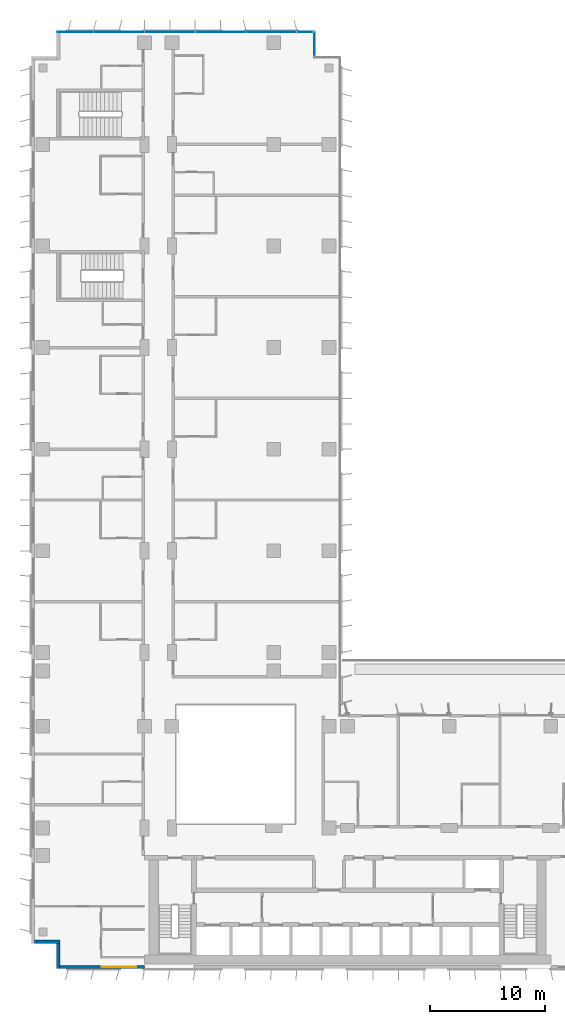
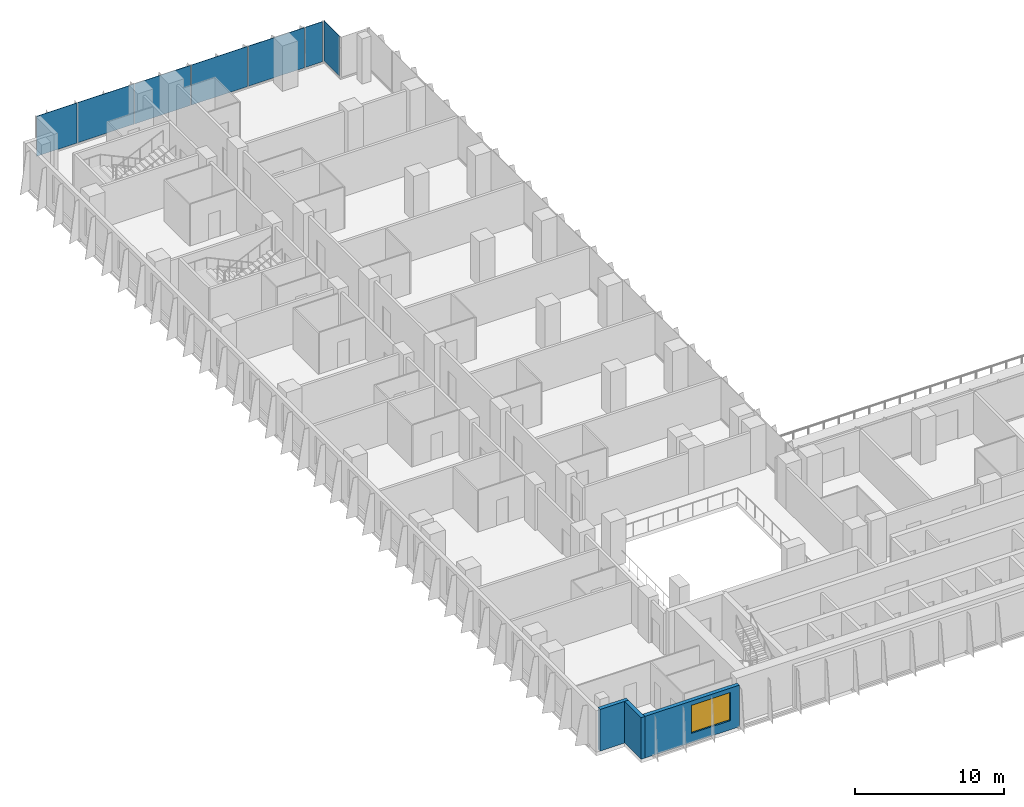
# One storey, part 13 of 27: 7 plates, 3 walls, 1 window, 1 opening, 2 elements without a shape of their own.
"""IFC4 building model written with IfcOpenShell, lengths in metres."""

from ifc_helpers import new_model, si_unit, direction, frame, frame_2d, origin, origin_2d, place, context, subcontext, project, spatial, rectangle, extrude, source, transform, mapped, material, layer, layer_set, type_object, element, fill, aggregate, save


model = new_model("IFC4")

# Units and contexts
model_context = context("Model", 3, precision=1e-05, world=origin(), true_north=direction((0.0, 1.0)))
body_context = subcontext(model_context, "Body", "Model", "MODEL_VIEW")
ifc_project = project(units=[si_unit("LENGTHUNIT", "METRE"), si_unit("AREAUNIT", "SQUARE_METRE"), si_unit("VOLUMEUNIT", "CUBIC_METRE"), si_unit("PLANEANGLEUNIT", "RADIAN"), si_unit("MASSUNIT", "GRAM", prefix="KILO")], contexts=[model_context])

# Site, building, storey
site_placement = place(None, origin())
site = spatial("IfcSite", under=ifc_project, at=site_placement, CompositionType="ELEMENT")
building_placement = place(site_placement, origin())
building = spatial("IfcBuilding", under=site, at=building_placement, Name="Kemantara Hotel Tower", CompositionType="ELEMENT")
storey_placement = place(building_placement, frame((0.0, 0.0, 83.39990234375)))
storey = spatial("IfcBuildingStorey", under=building, at=storey_placement, Name="L19", CompositionType="ELEMENT", Elevation=83.39990234375)

# Curtain wall, plates
ifc_material_1 = material(Name="Low-E tinted double insulated glass 36 mm", Category="glass")
curtain_wall_type = type_object("IfcCurtainWallType", Name="TOWER CURTAIN WALL, FRONT FACES", PredefinedType="USERDEFINED", material=ifc_material_1)
curtain_wall_1_placement = place(storey_placement, origin())
curtain_wall_1 = element("IfcCurtainWall", 1, at=curtain_wall_1_placement, inside=storey, type_object=curtain_wall_type, Name="CW4 L19 T2-R01-1", ObjectType="TOWER CURTAIN WALL, FRONT FACES", PredefinedType="USERDEFINED")
ifc_layer_1 = layer(ifc_material_1, 0.035888671875)
ifc_layer_set_1 = layer_set([ifc_layer_1], Name="Low-E tinted double insulated glass 36 mm")
plate_type = type_object("IfcPlateType", Name="TOWER CURTAIN WALL, FRONT FACES PANEL", PredefinedType="CURTAIN_PANEL", material=ifc_layer_set_1)
shared_shape_1 = source(origin(), body_context, "Body", "SweptSolid", [
    extrude(rectangle(XDim=4.340087890625, YDim=0.035888671875, at=origin_2d()), origin(), (0.0, 0.0, 1.0), 3.280029296875),
])
plate_1_placement = place(storey_placement, frame((20.800048828125, 81.125, 0.1201171875), z_axis=(0.0, 0.0, 1.0), x_axis=(-1.0, 0.0, 0.0)))
plate_1 = element("IfcPlate", 2, at=plate_1_placement, type_object=plate_type, Name="CW4 glass panel T2-R01-1.2", PredefinedType="CURTAIN_PANEL", context=body_context, shape_type="MappedRepresentation", body=[
    mapped(shared_shape_1, transform((0.0, 0.0, 0.0))),
])
plate_2_placement = place(storey_placement, frame((16.39990234375, 81.125, 0.1201171875), z_axis=(0.0, 0.0, 1.0), x_axis=(-1.0, 0.0, 0.0)))
plate_2 = element("IfcPlate", 3, at=plate_2_placement, type_object=plate_type, Name="CW4 glass panel T2-R01-1.3", PredefinedType="CURTAIN_PANEL", context=body_context, shape_type="MappedRepresentation", body=[
    mapped(shared_shape_1, transform((0.0, 0.0, 0.0))),
])
plate_3_placement = place(storey_placement, frame((12.0, 81.125, 0.1201171875), z_axis=(0.0, 0.0, 1.0), x_axis=(-1.0, 0.0, 0.0)))
plate_3 = element("IfcPlate", 4, at=plate_3_placement, type_object=plate_type, Name="CW4 glass panel T2-R01-1.4", PredefinedType="CURTAIN_PANEL", context=body_context, shape_type="MappedRepresentation", body=[
    mapped(shared_shape_1, transform((0.0, 0.0, 0.0))),
])
plate_4_placement = place(storey_placement, frame((7.60009765625, 81.125, 0.1201171875), z_axis=(0.0, 0.0, 1.0), x_axis=(-1.0, 0.0, 0.0)))
plate_4 = element("IfcPlate", 5, at=plate_4_placement, type_object=plate_type, Name="CW4 glass panel T2-R01-1.5", PredefinedType="CURTAIN_PANEL", context=body_context, shape_type="MappedRepresentation", body=[
    mapped(shared_shape_1, transform((0.0, 0.0, 0.0))),
])
shared_shape_2 = source(origin(), body_context, "Body", "SweptSolid", [
    extrude(rectangle(XDim=1.360107421875, YDim=0.035888671875, at=origin_2d()), origin(), (0.0, 0.0, 1.0), 3.280029296875),
])
plate_5_placement = place(storey_placement, frame((23.7099609375, 81.125, 0.1201171875), z_axis=(0.0, 0.0, 1.0), x_axis=(-1.0, 0.0, 0.0)))
plate_5 = element("IfcPlate", 6, at=plate_5_placement, type_object=plate_type, Name="CW4 glass panel T2-R01-1.1", PredefinedType="CURTAIN_PANEL", context=body_context, shape_type="MappedRepresentation", body=[
    mapped(shared_shape_2, transform((0.0, 0.0, 0.0))),
])
shared_shape_3 = source(origin(), body_context, "Body", "SweptSolid", [
    extrude(rectangle(XDim=3.110107421875, YDim=0.035888671875, at=origin_2d()), origin(), (0.0, 0.0, 1.0), 3.280029296875),
])
plate_6_placement = place(storey_placement, frame((3.81494140625, 81.125, 0.1201171875), z_axis=(0.0, 0.0, 1.0), x_axis=(-1.0, 0.0, 0.0)))
plate_6 = element("IfcPlate", 7, at=plate_6_placement, type_object=plate_type, Name="CW4 glass panel T2-R01-1.6", PredefinedType="CURTAIN_PANEL", context=body_context, shape_type="MappedRepresentation", body=[
    mapped(shared_shape_3, transform((0.0, 0.0, 0.0))),
])
aggregate(curtain_wall_1, [plate_5, plate_1, plate_2, plate_3, plate_4, plate_6])

# Curtain wall, plate
curtain_wall_2_placement = place(storey_placement, origin())
curtain_wall_2 = element("IfcCurtainWall", 8, at=curtain_wall_2_placement, inside=storey, type_object=curtain_wall_type, Name="CW4 L19 T2-R00-1", ObjectType="TOWER CURTAIN WALL, FRONT FACES", PredefinedType="USERDEFINED")
shared_shape_4 = source(origin(), body_context, "Body", "SweptSolid", [
    extrude(rectangle(XDim=2.080078125, YDim=0.035888671875, at=origin_2d()), origin(), (0.0, 0.0, 1.0), 3.280029296875),
])
plate_7_placement = place(storey_placement, frame((24.52490234375, 80.10009765625, 0.1201171875), z_axis=(0.0, 0.0, 1.0), x_axis=(0.0, 1.0, 0.0)))
plate_7 = element("IfcPlate", 9, at=plate_7_placement, type_object=plate_type, Name="CW4 glass panel T2-R00-1.1", PredefinedType="CURTAIN_PANEL", context=body_context, shape_type="MappedRepresentation", body=[
    mapped(shared_shape_4, transform((0.0, 0.0, 0.0))),
])
aggregate(curtain_wall_2, [plate_7])

# Walls
ifc_material_2 = material(Name="Bronze anodised aluminium cladding on insulated steel stud wall", Category="steel")
ifc_layer_2 = layer(ifc_material_2, 0.300048828125)
ifc_layer_set_2 = layer_set([ifc_layer_2], Name="Bronze anodised aluminium cladding on insulated steel stud wall")
wall_type = type_object("IfcWallType", Name="BRONZE METAL-CLAD EXTERNAL WALL 300", PredefinedType="STANDARD", material=ifc_layer_set_2)
for number, where, z_axis, x_axis, name in (
    (10, (0.300048828125, 2.35009765625, 0.0), (0.0, 0.0, 1.0), (1.0, 0.0, 0.0), "EXTERNAL WALL L19 T2-R05"),
    (11, (2.35009765625, 2.199951171875, 0.0), (0.0, 0.0, 1.0), (0.0, -1.0, 0.0), "EXTERNAL WALL L19 T2-R06"),
):
    element("IfcWall", number, at=place(storey_placement, frame(where, z_axis=z_axis, x_axis=x_axis)), inside=storey, type_object=wall_type, Name=name, PredefinedType="STANDARD", context=body_context, shape_type="SweptSolid", body=[
        extrude(rectangle(XDim=2.199951171875, YDim=0.300048828125, at=frame_2d((1.10009765625, 0.0))), origin(), (0.0, 0.0, 1.0), 3.400146484375),
    ])

# Wall, opening, window
wall_placement = place(storey_placement, frame((2.5, 0.14990234375, 0.0), z_axis=(0.0, 0.0, 1.0), x_axis=(1.0, 0.0, 0.0)))
wall = element("IfcWall", 12, at=wall_placement, inside=storey, type_object=wall_type, Name="EXTERNAL WALL L19 T2-R07", PredefinedType="STANDARD", context=body_context, shape_type="SweptSolid", body=[
    extrude(rectangle(XDim=7.300048828125, YDim=0.300048828125, at=frame_2d((3.64990234375, 0.0))), origin(), (0.0, 0.0, 1.0), 3.400146484375),
])
opening_placement = place(wall_placement, frame((3.60009765625, 0.0, 0.75)))
opening = element("IfcOpeningElement", 13, at=opening_placement, cuts=wall, Name="Opening W1", PredefinedType="OPENING", context=body_context, shape_type="SweptSolid", body=[
    extrude(rectangle(XDim=3.0, YDim=2.300048828125, at=frame_2d((1.5, 1.14990234375))), frame((0.0, 0.159912109375, 0.0), z_axis=(0.0, -1.0, 0.0), x_axis=(1.0, 0.0, 0.0)), (0.0, 0.0, 1.0), 0.320068359375),
])
ifc_material_3 = material(Name="Low-E tinted double insulated glass in bronze anodised aluminium frame", Category="aluminium")
window_type = type_object("IfcWindowType", Name="CHICAGO WINDOW, TRIPLE PANEL 3000x2300", PartitioningType="TRIPLE_PANEL_VERTICAL", PredefinedType="WINDOW", material=ifc_material_3)
window_placement = place(opening_placement, origin())
window = element("IfcWindow", 14, at=window_placement, inside=storey, type_object=window_type, Name="CHICAGO WINDOW L19 T2-R07-54", OverallHeight=2.300048828125, OverallWidth=3.0, PartitioningType="SINGLE_PANEL", PredefinedType="WINDOW", context=body_context, shape_type="SweptSolid", body=[
    extrude(rectangle(XDim=3.0, YDim=2.300048828125, at=frame_2d((1.5, 1.14990234375))), frame((0.0, 0.030029296875, 0.0), z_axis=(0.0, -1.0, 0.0), x_axis=(1.0, 0.0, 0.0)), (0.0, 0.0, 1.0), 0.06005859375),
])
fill(opening, window)

save(model, "model.ifc")
